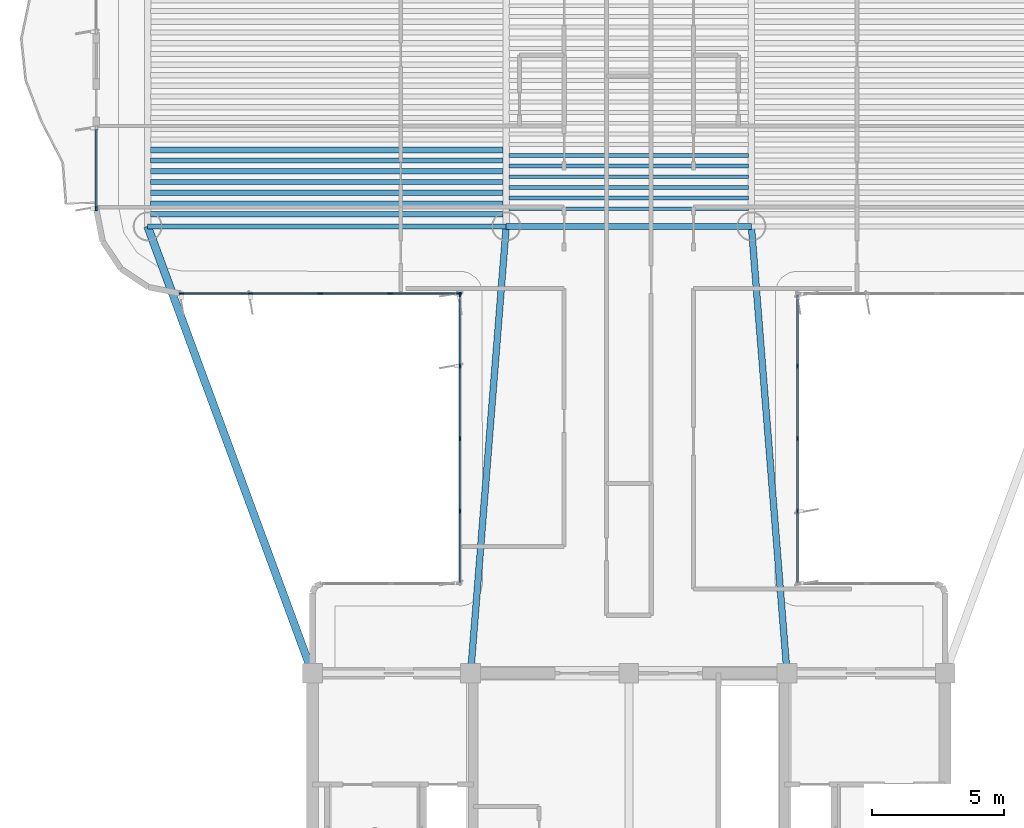
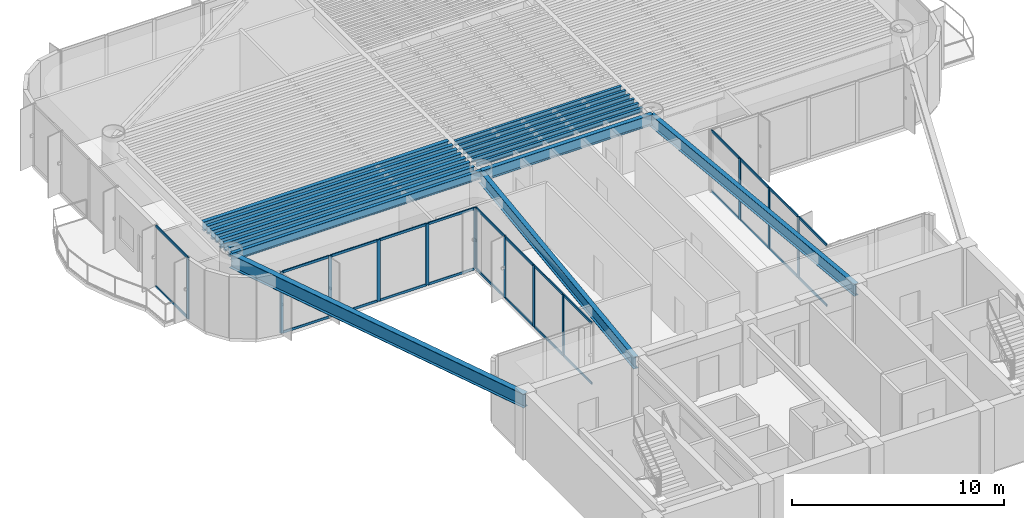
# One storey, part 3 of 15: 39 members, 18 beams, 4 elements without a shape of their own.
"""IFC4 building model written with IfcOpenShell, lengths in metres."""

from ifc_helpers import new_model, si_unit, direction, frame, origin, origin_2d, place, context, subcontext, project, spatial, rectangle, i_section, extrude, source, transform, mapped, material, layer, layer_set, material_profile, profile_set, type_object, element, aggregate, save


model = new_model("IFC4")

# Units and contexts
model_context = context("Model", 3, precision=1e-05, world=origin(), true_north=direction((0.0, 1.0)))
body_context = subcontext(model_context, "Body", "Model", "MODEL_VIEW")
ifc_project = project(units=[si_unit("LENGTHUNIT", "METRE"), si_unit("AREAUNIT", "SQUARE_METRE"), si_unit("VOLUMEUNIT", "CUBIC_METRE"), si_unit("PLANEANGLEUNIT", "RADIAN"), si_unit("MASSUNIT", "GRAM", prefix="KILO")], contexts=[model_context])

# Site, building, storey
site_placement = place(None, origin())
site = spatial("IfcSite", under=ifc_project, at=site_placement, CompositionType="ELEMENT")
building_placement = place(site_placement, origin())
building = spatial("IfcBuilding", under=site, at=building_placement, Name="Brelvock Crest Care Tower", CompositionType="ELEMENT")
storey_placement = place(building_placement, frame((0.0, 0.0, 167.760009765625)))
storey = spatial("IfcBuildingStorey", under=building, at=storey_placement, Name="L42", CompositionType="ELEMENT", Elevation=167.760009765625)

# Beams
ifc_material_1 = material(Name="Steel Grade 350", Category="steel")
ifc_material_profile_1 = material_profile(ifc_material_1, i_section(OverallWidth=0.22900390625, OverallDepth=0.612060546875, WebThickness=0.011962890625, FlangeThickness=0.01953125, FilletRadius=0.013916015625, at=origin_2d()), Name="610UB125")
ifc_profile_set_1 = profile_set([ifc_material_profile_1], Name="Steel Grade 350")
beam_type_1 = type_object("IfcBeamType", Name="BM-G1", PredefinedType="BEAM", material=ifc_profile_set_1)
shared_shape_1 = source(origin(), body_context, "Body", "SweptSolid", [
    extrude(i_section(OverallWidth=0.22900390625, OverallDepth=0.612060546875, WebThickness=0.011962890625, FlangeThickness=0.01953125, FilletRadius=0.013916015625, at=origin_2d()), origin(), (0.0, 0.0, 1.0), 9.2998046875),
])
beam_1_placement = place(storey_placement, frame((31.35009765625, 34.949951171875, 3.223876953125), z_axis=(1.0, 0.0, 0.0), x_axis=(0.0, 1.0, 0.0)))
element("IfcBeam", 1, at=beam_1_placement, inside=storey, type_object=beam_type_1, Name="BM-TWR-L42-05", PredefinedType="BEAM", context=body_context, shape_type="MappedRepresentation", body=[
    mapped(shared_shape_1, transform((0.0, 0.0, 0.0), x_axis=(1.0, 0.0, 0.0), y_axis=(0.0, 1.0, 0.0), z_axis=(0.0, 0.0, 1.0), scale=1.0)),
])
ifc_material_profile_2 = material_profile(ifc_material_1, i_section(OverallWidth=0.14599609375, OverallDepth=0.256103515625, WebThickness=0.00634765625, FlangeThickness=0.010986328125, FilletRadius=0.0087890625, at=origin_2d()), Name="250UB37.3")
ifc_profile_set_2 = profile_set([ifc_material_profile_2], Name="Steel Grade 350")
beam_type_2 = type_object("IfcBeamType", Name="BM-J3", PredefinedType="JOIST", material=ifc_profile_set_2)
shared_shape_2 = source(origin(), body_context, "Body", "SweptSolid", [
    extrude(i_section(OverallWidth=0.14599609375, OverallDepth=0.256103515625, WebThickness=0.00634765625, FlangeThickness=0.010986328125, FilletRadius=0.0087890625, at=origin_2d()), origin(), (0.0, 0.0, 1.0), 9.06982421875),
])
for number, where, z_axis, x_axis, name in (
    (2, (31.465087890625, 35.618896484375, 3.402099609375), (1.0, 0.0, 0.0), (0.0, 1.0, 0.0), "BM-JH-L42-1"),
    (3, (31.465087890625, 36.02392578125, 3.402099609375), (1.0, 0.0, 0.0), (0.0, 1.0, 0.0), "BM-JH-L42-2"),
    (4, (31.465087890625, 36.42919921875, 3.402099609375), (1.0, 0.0, 0.0), (0.0, 1.0, 0.0), "BM-JH-L42-3"),
    (5, (31.465087890625, 36.834228515625, 3.402099609375), (1.0, 0.0, 0.0), (0.0, 1.0, 0.0), "BM-JH-L42-4"),
    (6, (31.465087890625, 37.239501953125, 3.402099609375), (1.0, 0.0, 0.0), (0.0, 1.0, 0.0), "BM-JH-L42-5"),
    (7, (31.465087890625, 37.64453125, 3.402099609375), (1.0, 0.0, 0.0), (0.0, 1.0, 0.0), "BM-JH-L42-6"),
):
    element("IfcBeam", number, at=place(storey_placement, frame(where, z_axis=z_axis, x_axis=x_axis)), inside=storey, type_object=beam_type_2, Name=name, PredefinedType="JOIST", context=body_context, shape_type="MappedRepresentation", body=[
        mapped(shared_shape_2, transform((0.0, 0.0, 0.0), x_axis=(1.0, 0.0, 0.0), y_axis=(0.0, 1.0, 0.0), z_axis=(0.0, 0.0, 1.0), scale=1.0)),
    ])
ifc_material_profile_3 = material_profile(ifc_material_1, i_section(OverallWidth=0.208984375, OverallDepth=0.532958984375, WebThickness=0.01025390625, FlangeThickness=0.015625, FilletRadius=0.013916015625, at=origin_2d()), Name="530UB92.4")
ifc_profile_set_3 = profile_set([ifc_material_profile_3], Name="Steel Grade 350")
beam_type_3 = type_object("IfcBeamType", Name="BM-G2", PredefinedType="BEAM", material=ifc_profile_set_3)
shared_shape_3 = source(origin(), body_context, "Body", "SweptSolid", [
    extrude(i_section(OverallWidth=0.208984375, OverallDepth=0.532958984375, WebThickness=0.01025390625, FlangeThickness=0.015625, FilletRadius=0.013916015625, at=origin_2d()), origin(), (0.0, 0.0, 1.0), 13.3701171875),
])
for number, where, z_axis, x_axis, name in (
    (8, (17.864990234375, 35.416259765625, 3.263427734375), (1.0, 0.0, 0.0), (0.0, 1.0, 0.0), "BM-JW-L42-1"),
    (9, (17.864990234375, 36.2265625, 3.263427734375), (1.0, 0.0, 0.0), (0.0, 1.0, 0.0), "BM-JW-L42-3"),
    (10, (17.864990234375, 37.036865234375, 3.263427734375), (1.0, 0.0, 0.0), (0.0, 1.0, 0.0), "BM-JW-L42-5"),
    (11, (17.864990234375, 37.84716796875, 3.263427734375), (1.0, 0.0, 0.0), (0.0, 1.0, 0.0), "BM-JW-L42-7"),
):
    element("IfcBeam", number, at=place(storey_placement, frame(where, z_axis=z_axis, x_axis=x_axis)), inside=storey, type_object=beam_type_3, Name=name, PredefinedType="BEAM", context=body_context, shape_type="MappedRepresentation", body=[
        mapped(shared_shape_3, transform((0.0, 0.0, 0.0), x_axis=(1.0, 0.0, 0.0), y_axis=(0.0, 1.0, 0.0), z_axis=(0.0, 0.0, 1.0), scale=1.0)),
    ])
ifc_material_profile_4 = material_profile(ifc_material_1, i_section(OverallWidth=0.19091796875, OverallDepth=0.4599609375, WebThickness=0.010009765625, FlangeThickness=0.01611328125, FilletRadius=0.011474609375, at=origin_2d()), Name="460UB82.1")
ifc_profile_set_4 = profile_set([ifc_material_profile_4], Name="Steel Grade 350")
beam_type_4 = type_object("IfcBeamType", Name="BM-G3", PredefinedType="BEAM", material=ifc_profile_set_4)
shared_shape_4 = source(origin(), body_context, "Body", "SweptSolid", [
    extrude(i_section(OverallWidth=0.19091796875, OverallDepth=0.4599609375, WebThickness=0.010009765625, FlangeThickness=0.01611328125, FilletRadius=0.011474609375, at=origin_2d()), origin(), (0.0, 0.0, 1.0), 13.3701171875),
])
for number, where, z_axis, x_axis, name in (
    (12, (17.864990234375, 35.8212890625, 3.300048828125), (1.0, 0.0, 0.0), (0.0, 1.0, 0.0), "BM-JW-L42-2"),
    (13, (17.864990234375, 36.631591796875, 3.300048828125), (1.0, 0.0, 0.0), (0.0, 1.0, 0.0), "BM-JW-L42-4"),
    (14, (17.864990234375, 37.44189453125, 3.300048828125), (1.0, 0.0, 0.0), (0.0, 1.0, 0.0), "BM-JW-L42-6"),
):
    element("IfcBeam", number, at=place(storey_placement, frame(where, z_axis=z_axis, x_axis=x_axis)), inside=storey, type_object=beam_type_4, Name=name, PredefinedType="BEAM", context=body_context, shape_type="MappedRepresentation", body=[
        mapped(shared_shape_4, transform((0.0, 0.0, 0.0), x_axis=(1.0, 0.0, 0.0), y_axis=(0.0, 1.0, 0.0), z_axis=(0.0, 0.0, 1.0), scale=1.0)),
    ])
ifc_material_profile_5 = material_profile(ifc_material_1, i_section(OverallWidth=0.19091796875, OverallDepth=0.4599609375, WebThickness=0.010009765625, FlangeThickness=0.01611328125, FilletRadius=0.011474609375, at=origin_2d()), Name="460UB82.1")
ifc_profile_set_5 = profile_set([ifc_material_profile_5], Name="Steel Grade 350")
beam_type_5 = type_object("IfcBeamType", Name="BM-SP2", PredefinedType="SPANDREL", material=ifc_profile_set_5)
shared_shape_5 = source(origin(), body_context, "Body", "SweptSolid", [
    extrude(i_section(OverallWidth=0.19091796875, OverallDepth=0.4599609375, WebThickness=0.010009765625, FlangeThickness=0.01611328125, FilletRadius=0.011474609375, at=origin_2d()), origin(), (0.0, 0.0, 1.0), 13.60009765625),
])
beam_2_placement = place(storey_placement, frame((17.75, 34.949951171875, 3.300048828125), z_axis=(1.0, 0.0, 0.0), x_axis=(0.0, 1.0, 0.0)))
element("IfcBeam", 15, at=beam_2_placement, inside=storey, type_object=beam_type_5, Name="BM-TWR-L42-03", PredefinedType="SPANDREL", context=body_context, shape_type="MappedRepresentation", body=[
    mapped(shared_shape_5, transform((0.0, 0.0, 0.0), x_axis=(1.0, 0.0, 0.0), y_axis=(0.0, 1.0, 0.0), z_axis=(0.0, 0.0, 1.0), scale=1.0)),
])
ifc_material_profile_6 = material_profile(ifc_material_1, i_section(OverallWidth=0.25, OverallDepth=0.699951171875, WebThickness=0.011962890625, FlangeThickness=0.02001953125, at=origin_2d()), Name="700WB150")
ifc_profile_set_6 = profile_set([ifc_material_profile_6], Name="Steel Grade 350")
beam_type_6 = type_object("IfcBeamType", Name="BM-G4", PredefinedType="BEAM", material=ifc_profile_set_6)
shared_shape_6 = source(origin(), body_context, "Body", "SweptSolid", [
    extrude(i_section(OverallWidth=0.25, OverallDepth=0.699951171875, WebThickness=0.011962890625, FlangeThickness=0.02001953125, at=origin_2d()), origin(), (0.0, 0.0, 1.0), 17.003662109375),
])
for number, where, z_axis, x_axis, name in (
    (16, (30.0, 18.0, 3.179931640625), (0.079400530776, 0.996842793881, 0.0), (-0.996842793881, 0.079400530776, 0.0), "BM-THRW-L42"),
    (17, (42.0, 18.0, 3.179931640625), (-0.079400530776, 0.996842793881, 0.0), (-0.996842793881, -0.079400530776, 0.0), "BM-THRE-L42"),
):
    element("IfcBeam", number, at=place(storey_placement, frame(where, z_axis=z_axis, x_axis=x_axis)), inside=storey, type_object=beam_type_6, Name=name, PredefinedType="BEAM", context=body_context, shape_type="MappedRepresentation", body=[
        mapped(shared_shape_6, transform((0.0, 0.0, 0.0), x_axis=(1.0, 0.0, 0.0), y_axis=(0.0, 1.0, 0.0), z_axis=(0.0, 0.0, 1.0), scale=1.0)),
    ])
ifc_material_profile_7 = material_profile(ifc_material_1, i_section(OverallWidth=0.300048828125, OverallDepth=0.800048828125, WebThickness=0.013916015625, FlangeThickness=0.02197265625, at=origin_2d()), Name="800WB192")
ifc_profile_set_7 = profile_set([ifc_material_profile_7], Name="Steel Grade 350")
beam_type_7 = type_object("IfcBeamType", Name="BM-G5", PredefinedType="BEAM", material=ifc_profile_set_7)
shared_shape_7 = source(origin(), body_context, "Body", "SweptSolid", [
    extrude(i_section(OverallWidth=0.300048828125, OverallDepth=0.800048828125, WebThickness=0.013916015625, FlangeThickness=0.02197265625, at=origin_2d()), origin(), (0.0, 0.0, 1.0), 18.0654296875),
])
beam_3_placement = place(storey_placement, frame((24.0, 18.0, 3.1298828125), z_axis=(-0.345962741309, 0.938248251597, 0.0), x_axis=(-0.938248251597, -0.345962741309, 0.0)))
element("IfcBeam", 18, at=beam_3_placement, inside=storey, type_object=beam_type_7, Name="BM-THRO-W-L42", PredefinedType="BEAM", context=body_context, shape_type="MappedRepresentation", body=[
    mapped(shared_shape_7, transform((0.0, 0.0, 0.0), x_axis=(1.0, 0.0, 0.0), y_axis=(0.0, 1.0, 0.0), z_axis=(0.0, 0.0, 1.0), scale=1.0)),
])

# Curtain wall, members
ifc_material_2 = material(Name="Dark Glass Double Glazed Low-E", Category="glass")
ifc_layer = layer(ifc_material_2, 0.22509765625, Name="CWS-4")
ifc_layer_set = layer_set([ifc_layer], Name="Dark Glass Double Glazed Low-E")
curtain_wall_type = type_object("IfcCurtainWallType", Name="CWS-4", PredefinedType="NOTDEFINED", material=ifc_layer_set)
curtain_wall_1_placement = place(storey_placement, origin())
curtain_wall_1 = element("IfcCurtainWall", 19, at=curtain_wall_1_placement, inside=storey, type_object=curtain_wall_type, Name="L42 Curtain Wall E11", PredefinedType="NOTDEFINED")
ifc_material_3 = material(Name="Aluminium 6063-T6", Category="aluminium")
ifc_material_profile_8 = material_profile(ifc_material_3, rectangle(XDim=0.06005859375, YDim=0.179931640625, at=origin_2d()), Name="ALU60x180")
ifc_profile_set_8 = profile_set([ifc_material_profile_8], Name="Aluminium 6063-T6")
member_type_1 = type_object("IfcMemberType", Name="CWM-2", PredefinedType="MULLION", material=ifc_profile_set_8)
shared_shape_8 = source(origin(), body_context, "Body", "SweptSolid", [
    extrude(rectangle(XDim=0.06005859375, YDim=0.179931640625, at=origin_2d()), origin(), (0.0, 0.0, 1.0), 3.530029296875),
])
member_1_placement = place(storey_placement, frame((29.60009765625, 24.14990234375, 0.0), z_axis=(0.0, 0.0, 1.0), x_axis=(-1.0, 0.0, 0.0)))
member_1 = element("IfcMember", 20, at=member_1_placement, type_object=member_type_1, Name="CW-4 mullion 2", PredefinedType="MULLION", context=body_context, shape_type="MappedRepresentation", body=[
    mapped(shared_shape_8, transform((0.0, 0.0, 0.0), x_axis=(1.0, 0.0, 0.0), y_axis=(0.0, 1.0, 0.0), z_axis=(0.0, 0.0, 1.0), scale=1.0)),
])
member_2_placement = place(storey_placement, frame((29.60009765625, 26.89990234375, 0.0), z_axis=(0.0, 0.0, 1.0), x_axis=(-1.0, 0.0, 0.0)))
member_2 = element("IfcMember", 21, at=member_2_placement, type_object=member_type_1, Name="CW-4 mullion 3", PredefinedType="MULLION", context=body_context, shape_type="MappedRepresentation", body=[
    mapped(shared_shape_8, transform((0.0, 0.0, 0.0), x_axis=(1.0, 0.0, 0.0), y_axis=(0.0, 1.0, 0.0), z_axis=(0.0, 0.0, 1.0), scale=1.0)),
])
member_3_placement = place(storey_placement, frame((29.60009765625, 29.64990234375, 0.0), z_axis=(0.0, 0.0, 1.0), x_axis=(-1.0, 0.0, 0.0)))
member_3 = element("IfcMember", 22, at=member_3_placement, type_object=member_type_1, Name="CW-4 mullion 4", PredefinedType="MULLION", context=body_context, shape_type="MappedRepresentation", body=[
    mapped(shared_shape_8, transform((0.0, 0.0, 0.0), x_axis=(1.0, 0.0, 0.0), y_axis=(0.0, 1.0, 0.0), z_axis=(0.0, 0.0, 1.0), scale=1.0)),
])
member_4_placement = place(storey_placement, frame((29.60009765625, 32.3701171875, 0.0), z_axis=(0.0, 0.0, 1.0), x_axis=(-1.0, 0.0, 0.0)))
member_4 = element("IfcMember", 23, at=member_4_placement, type_object=member_type_1, Name="CW-4 mullion 5", PredefinedType="MULLION", context=body_context, shape_type="MappedRepresentation", body=[
    mapped(shared_shape_8, transform((0.0, 0.0, 0.0), x_axis=(1.0, 0.0, 0.0), y_axis=(0.0, 1.0, 0.0), z_axis=(0.0, 0.0, 1.0), scale=1.0)),
])

curtain_wall_2_placement = place(storey_placement, origin())
curtain_wall_2 = element("IfcCurtainWall", 24, at=curtain_wall_2_placement, inside=storey, type_object=curtain_wall_type, Name="L42 Curtain Wall E12", PredefinedType="NOTDEFINED")
member_5_placement = place(storey_placement, frame((29.570068359375, 32.39990234375, 0.0), z_axis=(0.0, 0.0, 1.0), x_axis=(0.0, -1.0, 0.0)))
member_5 = element("IfcMember", 25, at=member_5_placement, type_object=member_type_1, Name="CW-4 mullion 1", PredefinedType="MULLION", context=body_context, shape_type="MappedRepresentation", body=[
    mapped(shared_shape_8, transform((0.0, 0.0, 0.0), x_axis=(1.0, 0.0, 0.0), y_axis=(0.0, 1.0, 0.0), z_axis=(0.0, 0.0, 1.0), scale=1.0)),
])
member_6_placement = place(storey_placement, frame((26.949951171875, 32.39990234375, 0.0), z_axis=(0.0, 0.0, 1.0), x_axis=(0.0, -1.0, 0.0)))
member_6 = element("IfcMember", 26, at=member_6_placement, type_object=member_type_1, Name="CW-4 mullion 2", PredefinedType="MULLION", context=body_context, shape_type="MappedRepresentation", body=[
    mapped(shared_shape_8, transform((0.0, 0.0, 0.0), x_axis=(1.0, 0.0, 0.0), y_axis=(0.0, 1.0, 0.0), z_axis=(0.0, 0.0, 1.0), scale=1.0)),
])
member_7_placement = place(storey_placement, frame((24.300048828125, 32.39990234375, 0.0), z_axis=(0.0, 0.0, 1.0), x_axis=(0.0, -1.0, 0.0)))
member_7 = element("IfcMember", 27, at=member_7_placement, type_object=member_type_1, Name="CW-4 mullion 3", PredefinedType="MULLION", context=body_context, shape_type="MappedRepresentation", body=[
    mapped(shared_shape_8, transform((0.0, 0.0, 0.0), x_axis=(1.0, 0.0, 0.0), y_axis=(0.0, 1.0, 0.0), z_axis=(0.0, 0.0, 1.0), scale=1.0)),
])
member_8_placement = place(storey_placement, frame((21.64990234375, 32.39990234375, 0.0), z_axis=(0.0, 0.0, 1.0), x_axis=(0.0, -1.0, 0.0)))
member_8 = element("IfcMember", 28, at=member_8_placement, type_object=member_type_1, Name="CW-4 mullion 4", PredefinedType="MULLION", context=body_context, shape_type="MappedRepresentation", body=[
    mapped(shared_shape_8, transform((0.0, 0.0, 0.0), x_axis=(1.0, 0.0, 0.0), y_axis=(0.0, 1.0, 0.0), z_axis=(0.0, 0.0, 1.0), scale=1.0)),
])
member_9_placement = place(storey_placement, frame((19.030029296875, 32.39990234375, 0.0), z_axis=(0.0, 0.0, 1.0), x_axis=(0.0, -1.0, 0.0)))
member_9 = element("IfcMember", 29, at=member_9_placement, type_object=member_type_1, Name="CW-4 mullion 5", PredefinedType="MULLION", context=body_context, shape_type="MappedRepresentation", body=[
    mapped(shared_shape_8, transform((0.0, 0.0, 0.0), x_axis=(1.0, 0.0, 0.0), y_axis=(0.0, 1.0, 0.0), z_axis=(0.0, 0.0, 1.0), scale=1.0)),
])

# Curtain wall, member
curtain_wall_3_placement = place(storey_placement, origin())
curtain_wall_3 = element("IfcCurtainWall", 30, at=curtain_wall_3_placement, inside=storey, type_object=curtain_wall_type, Name="L42 Curtain Wall E17A", PredefinedType="NOTDEFINED")
member_10_placement = place(storey_placement, frame((15.800048828125, 35.6298828125, 0.0), z_axis=(0.0, 0.0, 1.0), x_axis=(-1.0, 0.0, 0.0)))
member_10 = element("IfcMember", 31, at=member_10_placement, type_object=member_type_1, Name="CW-4 mullion 1", PredefinedType="MULLION", context=body_context, shape_type="MappedRepresentation", body=[
    mapped(shared_shape_8, transform((0.0, 0.0, 0.0), x_axis=(1.0, 0.0, 0.0), y_axis=(0.0, 1.0, 0.0), z_axis=(0.0, 0.0, 1.0), scale=1.0)),
])

# Curtain wall, members
curtain_wall_4_placement = place(storey_placement, origin())
curtain_wall_4 = element("IfcCurtainWall", 32, at=curtain_wall_4_placement, inside=storey, type_object=curtain_wall_type, Name="L42 Curtain Wall E45", PredefinedType="NOTDEFINED")
member_11_placement = place(storey_placement, frame((42.39990234375, 29.64990234375, 0.0), z_axis=(0.0, 0.0, 1.0), x_axis=(1.0, 0.0, 0.0)))
member_11 = element("IfcMember", 33, at=member_11_placement, type_object=member_type_1, Name="CW-4 mullion 2", PredefinedType="MULLION", context=body_context, shape_type="MappedRepresentation", body=[
    mapped(shared_shape_8, transform((0.0, 0.0, 0.0), x_axis=(1.0, 0.0, 0.0), y_axis=(0.0, 1.0, 0.0), z_axis=(0.0, 0.0, 1.0), scale=1.0)),
])
member_12_placement = place(storey_placement, frame((42.39990234375, 26.89990234375, 0.0), z_axis=(0.0, 0.0, 1.0), x_axis=(1.0, 0.0, 0.0)))
member_12 = element("IfcMember", 34, at=member_12_placement, type_object=member_type_1, Name="CW-4 mullion 3", PredefinedType="MULLION", context=body_context, shape_type="MappedRepresentation", body=[
    mapped(shared_shape_8, transform((0.0, 0.0, 0.0), x_axis=(1.0, 0.0, 0.0), y_axis=(0.0, 1.0, 0.0), z_axis=(0.0, 0.0, 1.0), scale=1.0)),
])
member_13_placement = place(storey_placement, frame((42.39990234375, 24.14990234375, 0.0), z_axis=(0.0, 0.0, 1.0), x_axis=(1.0, 0.0, 0.0)))
member_13 = element("IfcMember", 35, at=member_13_placement, type_object=member_type_1, Name="CW-4 mullion 4", PredefinedType="MULLION", context=body_context, shape_type="MappedRepresentation", body=[
    mapped(shared_shape_8, transform((0.0, 0.0, 0.0), x_axis=(1.0, 0.0, 0.0), y_axis=(0.0, 1.0, 0.0), z_axis=(0.0, 0.0, 1.0), scale=1.0)),
])

# Member
ifc_material_profile_9 = material_profile(ifc_material_3, rectangle(XDim=0.06005859375, YDim=0.139892578125, at=origin_2d()), Name="ALU60x140")
ifc_profile_set_9 = profile_set([ifc_material_profile_9], Name="Aluminium 6063-T6")
member_type_2 = type_object("IfcMemberType", Name="CWT-2", PredefinedType="USERDEFINED", material=ifc_profile_set_9)
shared_shape_9 = source(origin(), body_context, "Body", "SweptSolid", [
    extrude(rectangle(XDim=0.06005859375, YDim=0.139892578125, at=origin_2d()), origin(), (0.0, 0.0, 1.0), 2.66015625),
])
member_14_placement = place(storey_placement, frame((29.60009765625, 21.4599609375, 0.030029296875), z_axis=(0.0, 1.0, 0.0), x_axis=(-1.0, 0.0, 0.0)))
member_14 = element("IfcMember", 36, at=member_14_placement, type_object=member_type_2, Name="CW-4 transom 1.1", ObjectType="TRANSOM", PredefinedType="USERDEFINED", context=body_context, shape_type="MappedRepresentation", body=[
    mapped(shared_shape_9, transform((0.0, 0.0, 0.0), x_axis=(1.0, 0.0, 0.0), y_axis=(0.0, 1.0, 0.0), z_axis=(0.0, 0.0, 1.0), scale=1.0)),
])

member_15_placement = place(storey_placement, frame((29.60009765625, 21.4599609375, 3.5), z_axis=(0.0, 1.0, 0.0), x_axis=(-1.0, 0.0, 0.0)))
member_15 = element("IfcMember", 37, at=member_15_placement, type_object=member_type_2, Name="CW-4 transom 1.2", ObjectType="TRANSOM", PredefinedType="USERDEFINED", context=body_context, shape_type="MappedRepresentation", body=[
    mapped(shared_shape_9, transform((0.0, 0.0, 0.0), x_axis=(1.0, 0.0, 0.0), y_axis=(0.0, 1.0, 0.0), z_axis=(0.0, 0.0, 1.0), scale=1.0)),
])

member_16_placement = place(storey_placement, frame((29.60009765625, 29.679931640625, 0.030029296875), z_axis=(0.0, 1.0, 0.0), x_axis=(-1.0, 0.0, 0.0)))
member_16 = element("IfcMember", 38, at=member_16_placement, type_object=member_type_2, Name="CW-4 transom 4.1", ObjectType="TRANSOM", PredefinedType="USERDEFINED", context=body_context, shape_type="MappedRepresentation", body=[
    mapped(shared_shape_9, transform((0.0, 0.0, 0.0), x_axis=(1.0, 0.0, 0.0), y_axis=(0.0, 1.0, 0.0), z_axis=(0.0, 0.0, 1.0), scale=1.0)),
])

member_17_placement = place(storey_placement, frame((29.60009765625, 29.679931640625, 3.5), z_axis=(0.0, 1.0, 0.0), x_axis=(-1.0, 0.0, 0.0)))
member_17 = element("IfcMember", 39, at=member_17_placement, type_object=member_type_2, Name="CW-4 transom 4.2", ObjectType="TRANSOM", PredefinedType="USERDEFINED", context=body_context, shape_type="MappedRepresentation", body=[
    mapped(shared_shape_9, transform((0.0, 0.0, 0.0), x_axis=(1.0, 0.0, 0.0), y_axis=(0.0, 1.0, 0.0), z_axis=(0.0, 0.0, 1.0), scale=1.0)),
])

member_18_placement = place(storey_placement, frame((42.39990234375, 32.340087890625, 0.030029296875), z_axis=(0.0, -1.0, 0.0), x_axis=(1.0, 0.0, 0.0)))
member_18 = element("IfcMember", 40, at=member_18_placement, type_object=member_type_2, Name="CW-4 transom 1.1", ObjectType="TRANSOM", PredefinedType="USERDEFINED", context=body_context, shape_type="MappedRepresentation", body=[
    mapped(shared_shape_9, transform((0.0, 0.0, 0.0), x_axis=(1.0, 0.0, 0.0), y_axis=(0.0, 1.0, 0.0), z_axis=(0.0, 0.0, 1.0), scale=1.0)),
])

member_19_placement = place(storey_placement, frame((42.39990234375, 32.340087890625, 3.5), z_axis=(0.0, -1.0, 0.0), x_axis=(1.0, 0.0, 0.0)))
member_19 = element("IfcMember", 41, at=member_19_placement, type_object=member_type_2, Name="CW-4 transom 1.2", ObjectType="TRANSOM", PredefinedType="USERDEFINED", context=body_context, shape_type="MappedRepresentation", body=[
    mapped(shared_shape_9, transform((0.0, 0.0, 0.0), x_axis=(1.0, 0.0, 0.0), y_axis=(0.0, 1.0, 0.0), z_axis=(0.0, 0.0, 1.0), scale=1.0)),
])

member_20_placement = place(storey_placement, frame((42.39990234375, 24.1201171875, 0.030029296875), z_axis=(0.0, -1.0, 0.0), x_axis=(1.0, 0.0, 0.0)))
member_20 = element("IfcMember", 42, at=member_20_placement, type_object=member_type_2, Name="CW-4 transom 4.1", ObjectType="TRANSOM", PredefinedType="USERDEFINED", context=body_context, shape_type="MappedRepresentation", body=[
    mapped(shared_shape_9, transform((0.0, 0.0, 0.0), x_axis=(1.0, 0.0, 0.0), y_axis=(0.0, 1.0, 0.0), z_axis=(0.0, 0.0, 1.0), scale=1.0)),
])

member_21_placement = place(storey_placement, frame((42.39990234375, 24.1201171875, 3.5), z_axis=(0.0, -1.0, 0.0), x_axis=(1.0, 0.0, 0.0)))
member_21 = element("IfcMember", 43, at=member_21_placement, type_object=member_type_2, Name="CW-4 transom 4.2", ObjectType="TRANSOM", PredefinedType="USERDEFINED", context=body_context, shape_type="MappedRepresentation", body=[
    mapped(shared_shape_9, transform((0.0, 0.0, 0.0), x_axis=(1.0, 0.0, 0.0), y_axis=(0.0, 1.0, 0.0), z_axis=(0.0, 0.0, 1.0), scale=1.0)),
])

shared_shape_10 = source(origin(), body_context, "Body", "SweptSolid", [
    extrude(rectangle(XDim=0.06005859375, YDim=0.139892578125, at=origin_2d()), origin(), (0.0, 0.0, 1.0), 2.690185546875),
])
member_22_placement = place(storey_placement, frame((29.60009765625, 24.179931640625, 0.030029296875), z_axis=(0.0, 1.0, 0.0), x_axis=(-1.0, 0.0, 0.0)))
member_22 = element("IfcMember", 44, at=member_22_placement, type_object=member_type_2, Name="CW-4 transom 2.1", ObjectType="TRANSOM", PredefinedType="USERDEFINED", context=body_context, shape_type="MappedRepresentation", body=[
    mapped(shared_shape_10, transform((0.0, 0.0, 0.0), x_axis=(1.0, 0.0, 0.0), y_axis=(0.0, 1.0, 0.0), z_axis=(0.0, 0.0, 1.0), scale=1.0)),
])

member_23_placement = place(storey_placement, frame((29.60009765625, 24.179931640625, 3.5), z_axis=(0.0, 1.0, 0.0), x_axis=(-1.0, 0.0, 0.0)))
member_23 = element("IfcMember", 45, at=member_23_placement, type_object=member_type_2, Name="CW-4 transom 2.2", ObjectType="TRANSOM", PredefinedType="USERDEFINED", context=body_context, shape_type="MappedRepresentation", body=[
    mapped(shared_shape_10, transform((0.0, 0.0, 0.0), x_axis=(1.0, 0.0, 0.0), y_axis=(0.0, 1.0, 0.0), z_axis=(0.0, 0.0, 1.0), scale=1.0)),
])

member_24_placement = place(storey_placement, frame((29.60009765625, 26.929931640625, 0.030029296875), z_axis=(0.0, 1.0, 0.0), x_axis=(-1.0, 0.0, 0.0)))
member_24 = element("IfcMember", 46, at=member_24_placement, type_object=member_type_2, Name="CW-4 transom 3.1", ObjectType="TRANSOM", PredefinedType="USERDEFINED", context=body_context, shape_type="MappedRepresentation", body=[
    mapped(shared_shape_10, transform((0.0, 0.0, 0.0), x_axis=(1.0, 0.0, 0.0), y_axis=(0.0, 1.0, 0.0), z_axis=(0.0, 0.0, 1.0), scale=1.0)),
])

member_25_placement = place(storey_placement, frame((29.60009765625, 26.929931640625, 3.5), z_axis=(0.0, 1.0, 0.0), x_axis=(-1.0, 0.0, 0.0)))
member_25 = element("IfcMember", 47, at=member_25_placement, type_object=member_type_2, Name="CW-4 transom 3.2", ObjectType="TRANSOM", PredefinedType="USERDEFINED", context=body_context, shape_type="MappedRepresentation", body=[
    mapped(shared_shape_10, transform((0.0, 0.0, 0.0), x_axis=(1.0, 0.0, 0.0), y_axis=(0.0, 1.0, 0.0), z_axis=(0.0, 0.0, 1.0), scale=1.0)),
])

aggregate(curtain_wall_1, [member_1, member_2, member_3, member_4, member_14, member_15, member_22, member_23, member_24, member_25, member_16, member_17])

member_26_placement = place(storey_placement, frame((42.39990234375, 29.6201171875, 0.030029296875), z_axis=(0.0, -1.0, 0.0), x_axis=(1.0, 0.0, 0.0)))
member_26 = element("IfcMember", 48, at=member_26_placement, type_object=member_type_2, Name="CW-4 transom 2.1", ObjectType="TRANSOM", PredefinedType="USERDEFINED", context=body_context, shape_type="MappedRepresentation", body=[
    mapped(shared_shape_10, transform((0.0, 0.0, 0.0), x_axis=(1.0, 0.0, 0.0), y_axis=(0.0, 1.0, 0.0), z_axis=(0.0, 0.0, 1.0), scale=1.0)),
])

member_27_placement = place(storey_placement, frame((42.39990234375, 29.6201171875, 3.5), z_axis=(0.0, -1.0, 0.0), x_axis=(1.0, 0.0, 0.0)))
member_27 = element("IfcMember", 49, at=member_27_placement, type_object=member_type_2, Name="CW-4 transom 2.2", ObjectType="TRANSOM", PredefinedType="USERDEFINED", context=body_context, shape_type="MappedRepresentation", body=[
    mapped(shared_shape_10, transform((0.0, 0.0, 0.0), x_axis=(1.0, 0.0, 0.0), y_axis=(0.0, 1.0, 0.0), z_axis=(0.0, 0.0, 1.0), scale=1.0)),
])

member_28_placement = place(storey_placement, frame((42.39990234375, 26.8701171875, 0.030029296875), z_axis=(0.0, -1.0, 0.0), x_axis=(1.0, 0.0, 0.0)))
member_28 = element("IfcMember", 50, at=member_28_placement, type_object=member_type_2, Name="CW-4 transom 3.1", ObjectType="TRANSOM", PredefinedType="USERDEFINED", context=body_context, shape_type="MappedRepresentation", body=[
    mapped(shared_shape_10, transform((0.0, 0.0, 0.0), x_axis=(1.0, 0.0, 0.0), y_axis=(0.0, 1.0, 0.0), z_axis=(0.0, 0.0, 1.0), scale=1.0)),
])

member_29_placement = place(storey_placement, frame((42.39990234375, 26.8701171875, 3.5), z_axis=(0.0, -1.0, 0.0), x_axis=(1.0, 0.0, 0.0)))
member_29 = element("IfcMember", 51, at=member_29_placement, type_object=member_type_2, Name="CW-4 transom 3.2", ObjectType="TRANSOM", PredefinedType="USERDEFINED", context=body_context, shape_type="MappedRepresentation", body=[
    mapped(shared_shape_10, transform((0.0, 0.0, 0.0), x_axis=(1.0, 0.0, 0.0), y_axis=(0.0, 1.0, 0.0), z_axis=(0.0, 0.0, 1.0), scale=1.0)),
])

aggregate(curtain_wall_4, [member_11, member_12, member_13, member_18, member_19, member_26, member_27, member_28, member_29, member_20, member_21])

shared_shape_11 = source(origin(), body_context, "Body", "SweptSolid", [
    extrude(rectangle(XDim=0.06005859375, YDim=0.139892578125, at=origin_2d()), origin(), (0.0, 0.0, 1.0), 2.56005859375),
])
member_30_placement = place(storey_placement, frame((29.5400390625, 32.39990234375, 0.030029296875), z_axis=(-1.0, 0.0, 0.0), x_axis=(0.0, -1.0, 0.0)))
member_30 = element("IfcMember", 52, at=member_30_placement, type_object=member_type_2, Name="CW-4 transom 1.1", ObjectType="TRANSOM", PredefinedType="USERDEFINED", context=body_context, shape_type="MappedRepresentation", body=[
    mapped(shared_shape_11, transform((0.0, 0.0, 0.0), x_axis=(1.0, 0.0, 0.0), y_axis=(0.0, 1.0, 0.0), z_axis=(0.0, 0.0, 1.0), scale=1.0)),
])

member_31_placement = place(storey_placement, frame((29.5400390625, 32.39990234375, 3.5), z_axis=(-1.0, 0.0, 0.0), x_axis=(0.0, -1.0, 0.0)))
member_31 = element("IfcMember", 53, at=member_31_placement, type_object=member_type_2, Name="CW-4 transom 1.2", ObjectType="TRANSOM", PredefinedType="USERDEFINED", context=body_context, shape_type="MappedRepresentation", body=[
    mapped(shared_shape_11, transform((0.0, 0.0, 0.0), x_axis=(1.0, 0.0, 0.0), y_axis=(0.0, 1.0, 0.0), z_axis=(0.0, 0.0, 1.0), scale=1.0)),
])

member_32_placement = place(storey_placement, frame((21.6201171875, 32.39990234375, 0.030029296875), z_axis=(-1.0, 0.0, 0.0), x_axis=(0.0, -1.0, 0.0)))
member_32 = element("IfcMember", 54, at=member_32_placement, type_object=member_type_2, Name="CW-4 transom 4.1", ObjectType="TRANSOM", PredefinedType="USERDEFINED", context=body_context, shape_type="MappedRepresentation", body=[
    mapped(shared_shape_11, transform((0.0, 0.0, 0.0), x_axis=(1.0, 0.0, 0.0), y_axis=(0.0, 1.0, 0.0), z_axis=(0.0, 0.0, 1.0), scale=1.0)),
])

member_33_placement = place(storey_placement, frame((21.6201171875, 32.39990234375, 3.5), z_axis=(-1.0, 0.0, 0.0), x_axis=(0.0, -1.0, 0.0)))
member_33 = element("IfcMember", 55, at=member_33_placement, type_object=member_type_2, Name="CW-4 transom 4.2", ObjectType="TRANSOM", PredefinedType="USERDEFINED", context=body_context, shape_type="MappedRepresentation", body=[
    mapped(shared_shape_11, transform((0.0, 0.0, 0.0), x_axis=(1.0, 0.0, 0.0), y_axis=(0.0, 1.0, 0.0), z_axis=(0.0, 0.0, 1.0), scale=1.0)),
])

shared_shape_12 = source(origin(), body_context, "Body", "SweptSolid", [
    extrude(rectangle(XDim=0.06005859375, YDim=0.139892578125, at=origin_2d()), origin(), (0.0, 0.0, 1.0), 2.58984375),
])
member_34_placement = place(storey_placement, frame((26.919921875, 32.39990234375, 0.030029296875), z_axis=(-1.0, 0.0, 0.0), x_axis=(0.0, -1.0, 0.0)))
member_34 = element("IfcMember", 56, at=member_34_placement, type_object=member_type_2, Name="CW-4 transom 2.1", ObjectType="TRANSOM", PredefinedType="USERDEFINED", context=body_context, shape_type="MappedRepresentation", body=[
    mapped(shared_shape_12, transform((0.0, 0.0, 0.0), x_axis=(1.0, 0.0, 0.0), y_axis=(0.0, 1.0, 0.0), z_axis=(0.0, 0.0, 1.0), scale=1.0)),
])

member_35_placement = place(storey_placement, frame((26.919921875, 32.39990234375, 3.5), z_axis=(-1.0, 0.0, 0.0), x_axis=(0.0, -1.0, 0.0)))
member_35 = element("IfcMember", 57, at=member_35_placement, type_object=member_type_2, Name="CW-4 transom 2.2", ObjectType="TRANSOM", PredefinedType="USERDEFINED", context=body_context, shape_type="MappedRepresentation", body=[
    mapped(shared_shape_12, transform((0.0, 0.0, 0.0), x_axis=(1.0, 0.0, 0.0), y_axis=(0.0, 1.0, 0.0), z_axis=(0.0, 0.0, 1.0), scale=1.0)),
])

shared_shape_13 = source(origin(), body_context, "Body", "SweptSolid", [
    extrude(rectangle(XDim=0.06005859375, YDim=0.139892578125, at=origin_2d()), origin(), (0.0, 0.0, 1.0), 2.590087890625),
])
member_36_placement = place(storey_placement, frame((24.27001953125, 32.39990234375, 0.030029296875), z_axis=(-1.0, 0.0, 0.0), x_axis=(0.0, -1.0, 0.0)))
member_36 = element("IfcMember", 58, at=member_36_placement, type_object=member_type_2, Name="CW-4 transom 3.1", ObjectType="TRANSOM", PredefinedType="USERDEFINED", context=body_context, shape_type="MappedRepresentation", body=[
    mapped(shared_shape_13, transform((0.0, 0.0, 0.0), x_axis=(1.0, 0.0, 0.0), y_axis=(0.0, 1.0, 0.0), z_axis=(0.0, 0.0, 1.0), scale=1.0)),
])

member_37_placement = place(storey_placement, frame((24.27001953125, 32.39990234375, 3.5), z_axis=(-1.0, 0.0, 0.0), x_axis=(0.0, -1.0, 0.0)))
member_37 = element("IfcMember", 59, at=member_37_placement, type_object=member_type_2, Name="CW-4 transom 3.2", ObjectType="TRANSOM", PredefinedType="USERDEFINED", context=body_context, shape_type="MappedRepresentation", body=[
    mapped(shared_shape_13, transform((0.0, 0.0, 0.0), x_axis=(1.0, 0.0, 0.0), y_axis=(0.0, 1.0, 0.0), z_axis=(0.0, 0.0, 1.0), scale=1.0)),
])

aggregate(curtain_wall_2, [member_5, member_6, member_7, member_8, member_9, member_30, member_31, member_34, member_35, member_36, member_37, member_32, member_33])

shared_shape_14 = source(origin(), body_context, "Body", "SweptSolid", [
    extrude(rectangle(XDim=0.06005859375, YDim=0.139892578125, at=origin_2d()), origin(), (0.0, 0.0, 1.0), 2.97998046875),
])
member_38_placement = place(storey_placement, frame((15.800048828125, 35.659912109375, 0.030029296875), z_axis=(0.0, 1.0, 0.0), x_axis=(-1.0, 0.0, 0.0)))
member_38 = element("IfcMember", 60, at=member_38_placement, type_object=member_type_2, Name="CW-4 transom 1.1", ObjectType="TRANSOM", PredefinedType="USERDEFINED", context=body_context, shape_type="MappedRepresentation", body=[
    mapped(shared_shape_14, transform((0.0, 0.0, 0.0), x_axis=(1.0, 0.0, 0.0), y_axis=(0.0, 1.0, 0.0), z_axis=(0.0, 0.0, 1.0), scale=1.0)),
])

member_39_placement = place(storey_placement, frame((15.800048828125, 35.659912109375, 3.5), z_axis=(0.0, 1.0, 0.0), x_axis=(-1.0, 0.0, 0.0)))
member_39 = element("IfcMember", 61, at=member_39_placement, type_object=member_type_2, Name="CW-4 transom 1.2", ObjectType="TRANSOM", PredefinedType="USERDEFINED", context=body_context, shape_type="MappedRepresentation", body=[
    mapped(shared_shape_14, transform((0.0, 0.0, 0.0), x_axis=(1.0, 0.0, 0.0), y_axis=(0.0, 1.0, 0.0), z_axis=(0.0, 0.0, 1.0), scale=1.0)),
])

aggregate(curtain_wall_3, [member_10, member_38, member_39])

save(model, "model.ifc")
